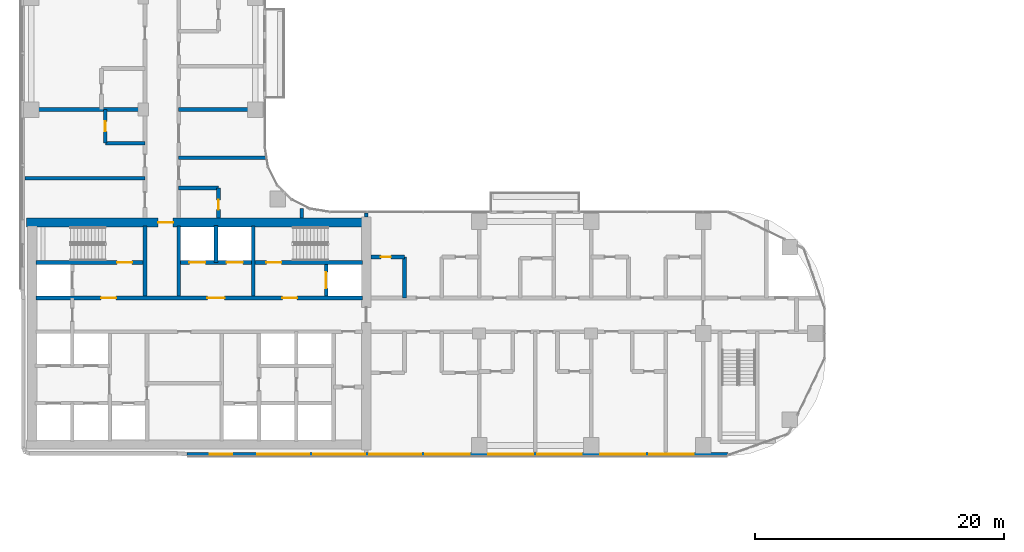
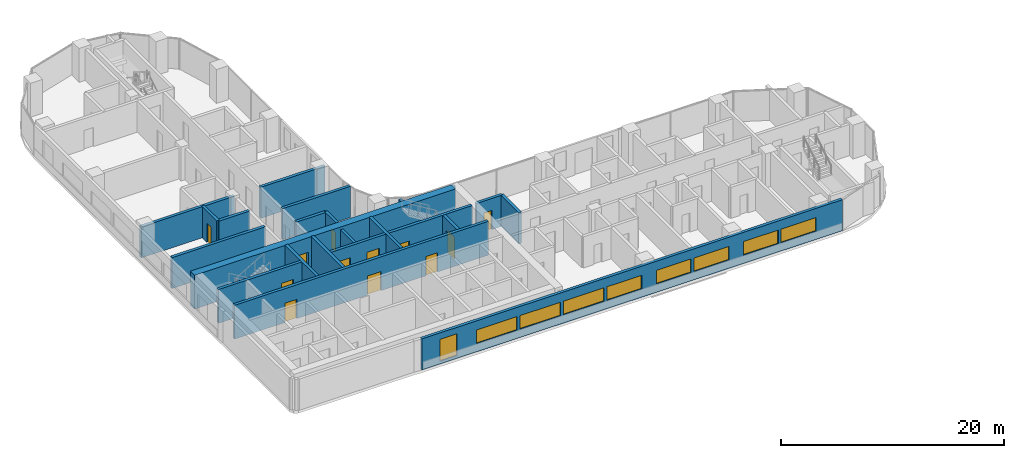
# One storey, part 19 of 35: 22 walls, 12 doors, 9 windows, 21 openings.
"""IFC4 building model written with IfcOpenShell, lengths in metres."""

import ifcopenshell
import ifcopenshell.guid

model = None  # the IFC model being written
_history = None  # IfcOwnerHistory: only IFC2X3 demands one
_inside = {}  # id of a spatial element -> (the spatial element, [elements in it])
_under = {}  # id of a project, library or spatial element -> (it, [spatial elements below it])
_declared = {}  # id of a project -> (the project, [libraries it declares])
_typed = {}  # id of a type object -> (the type object, [elements of that type])
_made_of = {}  # id of a material, layer set ... -> (it, [elements and type objects made of it])


def new_model(schema):
    """Start an empty IFC model of exactly this schema.

    Asked for "IFC4X3", IfcOpenShell would pick the latest addendum, in which some entities
    have other attributes; the version numbers below select the first issue.
    IFC2X3 requires an IfcOwnerHistory on every rooted entity: one is made here for all.
    """
    global model, _history
    if schema == "IFC4X3":
        model = ifcopenshell.file(schema_version=(4, 3, 0, 0))
    else:
        model = ifcopenshell.file(schema=schema)
    _inside.clear()
    _under.clear()
    _declared.clear()
    _typed.clear()
    _made_of.clear()
    _history = None
    if model.schema == "IFC2X3":
        org = make("IfcOrganization", Name="unknown")
        user = make(
            "IfcPersonAndOrganization",
            ThePerson=make("IfcPerson", FamilyName="unknown"),
            TheOrganization=org,
        )
        app = make(
            "IfcApplication",
            ApplicationDeveloper=org,
            Version="unknown",
            ApplicationFullName="unknown",
            ApplicationIdentifier="unknown",
        )
        _history = make(
            "IfcOwnerHistory",
            OwningUser=user,
            OwningApplication=app,
            ChangeAction="ADDED",
            CreationDate=0,
        )
    return model


def make(cls, **values):
    """One entity of the class cls with the attributes given. An attribute that is None is left unset."""
    return model.create_entity(
        cls, **{name: value for name, value in values.items() if value is not None}
    )


def rooted(cls, **values):
    """An entity with a GlobalId (a new one), such as an element, a storey or a relation."""
    return make(cls, GlobalId=ifcopenshell.guid.new(), OwnerHistory=_history, **values)


def si_unit(unit_type, name, prefix=None):
    """IfcSIUnit, for example si_unit("LENGTHUNIT", "METRE", prefix="MILLI")."""
    return make("IfcSIUnit", UnitType=unit_type, Prefix=prefix, Name=name)


def assignment(units):
    """IfcUnitAssignment: the units of a project."""
    return None if units is None else make("IfcUnitAssignment", Units=units)


def point(xyz):
    """IfcCartesianPoint."""
    return None if xyz is None else make("IfcCartesianPoint", Coordinates=xyz)


def direction(xyz):
    """IfcDirection."""
    return None if xyz is None else make("IfcDirection", DirectionRatios=xyz)


def frame(location, z_axis=None, x_axis=None):
    """IfcAxis2Placement3D, a coordinate frame: its origin and axes. An axis left out is left unset."""
    return make(
        "IfcAxis2Placement3D",
        Location=point(location),
        Axis=direction(z_axis),
        RefDirection=direction(x_axis),
    )


def frame_2d(location, x_axis=None):
    """IfcAxis2Placement2D, a coordinate frame in the plane: its origin and x axis."""
    return make(
        "IfcAxis2Placement2D", Location=point(location), RefDirection=direction(x_axis)
    )


def origin():
    """The frame at (0, 0, 0) with its axes left unset."""
    return frame((0.0, 0.0, 0.0))


def place(relative_to, where):
    """IfcLocalPlacement: puts the frame where relative to a parent placement (None: the world)."""
    return make(
        "IfcLocalPlacement", PlacementRelTo=relative_to, RelativePlacement=where
    )


def context(
    kind, dimensions, precision=None, world=None, true_north=None, identifier=None
):
    """IfcGeometricRepresentationContext, for example the 3D "Model" context."""
    return make(
        "IfcGeometricRepresentationContext",
        ContextIdentifier=identifier,
        ContextType=kind,
        CoordinateSpaceDimension=dimensions,
        Precision=precision,
        WorldCoordinateSystem=world,
        TrueNorth=true_north,
    )


def subcontext(parent, identifier, kind, view, scale=None):
    """IfcGeometricRepresentationSubContext, for example "Body" below "Model"."""
    return make(
        "IfcGeometricRepresentationSubContext",
        ContextIdentifier=identifier,
        ContextType=kind,
        ParentContext=parent,
        TargetScale=scale,
        TargetView=view,
    )


def project(units=None, contexts=None):
    """IfcProject with its units and contexts."""
    return rooted(
        "IfcProject",
        Name="project",
        RepresentationContexts=contexts,
        UnitsInContext=assignment(units),
    )


def spatial(cls, under=None, at=None, **own):
    """A site, building, storey or space (cls), placed at a placement, below another one or the project."""
    s = rooted(cls, ObjectPlacement=at, **own)
    if under is not None:
        _under.setdefault(under.id(), (under, []))[1].append(s)
    return s


def profile(cls, at=None, kind="AREA", **sizes):
    """A parametric profile (cls). Its sizes go by their IFC names, for example OverallWidth=200.0."""
    return make(cls, ProfileType=kind, Position=at, **sizes)


def rectangle(**sizes):
    """IfcRectangleProfileDef."""
    return profile("IfcRectangleProfileDef", **sizes)


def extrude(swept, where, along, depth):
    """IfcExtrudedAreaSolid: the profile swept, set in the frame where, extruded along a direction by depth."""
    return make(
        "IfcExtrudedAreaSolid",
        SweptArea=swept,
        Position=where,
        ExtrudedDirection=direction(along),
        Depth=depth,
    )


def shape(context_of_items, identifier, shape_type, items):
    """IfcShapeRepresentation: the items that make up one representation, for example the "Body"."""
    return make(
        "IfcShapeRepresentation",
        ContextOfItems=context_of_items,
        RepresentationIdentifier=identifier,
        RepresentationType=shape_type,
        Items=items,
    )


def material(Name=None, Category=None):
    """IfcMaterial."""
    return make("IfcMaterial", Name=Name, Category=Category)


def layer(
    of_material, thickness, ventilated=None, Name=None, Category=None, Priority=None
):
    """IfcMaterialLayer: one layer of a wall or slab, of a material (None: an air gap)."""
    return make(
        "IfcMaterialLayer",
        Material=of_material,
        LayerThickness=thickness,
        IsVentilated=ventilated,
        Name=Name,
        Category=Category,
        Priority=Priority,
    )


def layer_set(layers, Name=None):
    """IfcMaterialLayerSet."""
    return make("IfcMaterialLayerSet", MaterialLayers=layers, LayerSetName=Name)


def made_of(thing, what):
    """Note that an element or type object is made of a material, layer set ...; save() writes the relation."""
    if what is not None:
        _made_of.setdefault(what.id(), (what, []))[1].append(thing)
    return thing


def type_object(cls, material=None, **own):
    """A type object (cls), such as IfcWallType, which elements share."""
    return made_of(rooted(cls, **own), material)


def element(
    cls,
    number,
    at=None,
    inside=None,
    cuts=None,
    type_object=None,
    material=None,
    context=None,
    identifier="Body",
    shape_type=None,
    held_by="IfcProductDefinitionShape",
    body=None,
    shapes=None,
    **own,
):
    """One element of the class cls, such as IfcWall. Its Tag is "e" and its number.

    at: its placement. inside: the storey or other place that contains it. cuts: it is an
    opening in that element (IfcRelVoidsElement). A single representation is given by context,
    identifier, shape_type and body (its items); several are given by shapes. held_by: the class
    of the entity that holds the representations. save() writes the other relations.
    """
    e = rooted(cls, Tag="e%d" % number, ObjectPlacement=at, **own)
    if body is not None:
        shapes = [shape(context, identifier, shape_type, body)]
    if shapes is not None:
        e.Representation = make(held_by, Representations=shapes)
    if inside is not None:
        _inside.setdefault(inside.id(), (inside, []))[1].append(e)
    if cuts is not None:
        rooted(
            "IfcRelVoidsElement", RelatingBuildingElement=cuts, RelatedOpeningElement=e
        )
    if type_object is not None:
        _typed.setdefault(type_object.id(), (type_object, []))[1].append(e)
    return made_of(e, material)


def fill(opening, filler):
    """IfcRelFillsElement: the door or window that sits in an opening."""
    return rooted(
        "IfcRelFillsElement",
        RelatingOpeningElement=opening,
        RelatedBuildingElement=filler,
    )


def aggregate(whole, parts):
    """IfcRelAggregates: a whole, such as a stair, and the parts it consists of."""
    return rooted("IfcRelAggregates", RelatingObject=whole, RelatedObjects=parts)


def save(model, path):
    """Write the relations noted so far, then the file.

    IfcRelAggregates (storeys below a building ...), IfcRelContainedInSpatialStructure (elements
    in a storey), IfcRelDefinesByType, IfcRelAssociatesMaterial and IfcRelDeclares: one each for
    every whole, place, type object, material and project.
    """
    for whole, parts in _under.values():
        aggregate(whole, parts)
    for where, things in _inside.values():
        rooted(
            "IfcRelContainedInSpatialStructure",
            RelatedElements=things,
            RelatingStructure=where,
        )
    for kind, things in _typed.values():
        rooted("IfcRelDefinesByType", RelatedObjects=things, RelatingType=kind)
    for what, things in _made_of.values():
        rooted("IfcRelAssociatesMaterial", RelatedObjects=things, RelatingMaterial=what)
    for by, libraries in _declared.values():
        rooted("IfcRelDeclares", RelatingContext=by, RelatedDefinitions=libraries)
    model.write(path)


model = new_model("IFC4")

# Units and contexts
model_context = context("Model", 3, precision=1e-05, world=origin(), true_north=direction((0.0, 1.0)))
body_context = subcontext(model_context, "Body", "Model", "MODEL_VIEW")
ifc_project = project(units=[si_unit("LENGTHUNIT", "METRE"), si_unit("AREAUNIT", "SQUARE_METRE"), si_unit("VOLUMEUNIT", "CUBIC_METRE"), si_unit("PLANEANGLEUNIT", "RADIAN"), si_unit("MASSUNIT", "GRAM", prefix="KILO")], contexts=[model_context])

# Site, building, storey
site_placement = place(None, origin())
site = spatial("IfcSite", under=ifc_project, at=site_placement, CompositionType="ELEMENT")
building_placement = place(site_placement, origin())
building = spatial("IfcBuilding", under=site, at=building_placement, Name="Ogive Portal Towers", CompositionType="ELEMENT")
storey_placement = place(building_placement, frame((0.0, 0.0, 90.800048828125)))
storey = spatial("IfcBuildingStorey", under=building, at=storey_placement, Name="L21", CompositionType="ELEMENT", Elevation=90.800048828125)

# Wall, openings, doors
ifc_material_1 = material(Name="Concrete C60/75", Category="concrete")
ifc_layer_1 = layer(ifc_material_1, 0.300048828125)
ifc_layer_set_1 = layer_set([ifc_layer_1], Name="CORE WALL 300 C60")
wall_type_1 = type_object("IfcWallType", Name="CORE WALL 300 C60", PredefinedType="SHEAR", material=ifc_layer_set_1)
wall_1_placement = place(storey_placement, frame((31.875, 33.35009765625, 0.0), z_axis=(0.0, 0.0, 1.0), x_axis=(1.0, 0.0, 0.0)))
wall_1 = element("IfcWall", 1, at=wall_1_placement, inside=storey, type_object=wall_type_1, Name="Core wall Y2 L21", PredefinedType="SHEAR", context=body_context, shape_type="SweptSolid", body=[
    extrude(rectangle(XDim=26.25, YDim=0.300048828125, at=frame_2d((13.125, 0.0))), origin(), (0.0, 0.0, 1.0), 3.699951171875),
])
opening_1_placement = place(wall_1_placement, frame((13.77490234375, 0.0, 0.0)))
opening_1 = element("IfcOpeningElement", 2, at=opening_1_placement, cuts=wall_1, Name="Opening D07-002", PredefinedType="OPENING", context=body_context, shape_type="SweptSolid", body=[
    extrude(rectangle(XDim=1.39990234375, YDim=2.10009765625, at=frame_2d((0.699951171875, 1.050048828125))), frame((0.0, 0.16015625, 0.0), z_axis=(0.0, -1.0, 0.0), x_axis=(1.0, 0.0, 0.0)), (0.0, 0.0, 1.0), 0.320068359375),
])
opening_2_placement = place(wall_1_placement, frame((5.25, 0.0, 0.0)))
opening_2 = element("IfcOpeningElement", 3, at=opening_2_placement, cuts=wall_1, Name="Opening D07-003", PredefinedType="OPENING", context=body_context, shape_type="SweptSolid", body=[
    extrude(rectangle(XDim=1.199951171875, YDim=2.10009765625, at=frame_2d((0.60009765625, 1.050048828125))), frame((0.0, 0.16015625, 0.0), z_axis=(0.0, -1.0, 0.0), x_axis=(1.0, 0.0, 0.0)), (0.0, 0.0, 1.0), 0.320068359375),
])
opening_3_placement = place(wall_1_placement, frame((19.800048828125, 0.0, 0.0)))
opening_3 = element("IfcOpeningElement", 4, at=opening_3_placement, cuts=wall_1, Name="Opening D07-004", PredefinedType="OPENING", context=body_context, shape_type="SweptSolid", body=[
    extrude(rectangle(XDim=1.199951171875, YDim=2.10009765625, at=frame_2d((0.60009765625, 1.050048828125))), frame((0.0, 0.16015625, 0.0), z_axis=(0.0, -1.0, 0.0), x_axis=(1.0, 0.0, 0.0)), (0.0, 0.0, 1.0), 0.320068359375),
])
ifc_material_2 = material(Name="Steel fire door", Category="steel")
door_type_1 = type_object("IfcDoorType", Name="DT-SWING-1200x2100-FD90S", OperationType="SINGLE_SWING_LEFT", PredefinedType="DOOR", material=ifc_material_2)
door_1_placement = place(opening_2_placement, origin())
door_1 = element("IfcDoor", 5, at=door_1_placement, inside=storey, type_object=door_type_1, Name="Door D07-003", OperationType="SINGLE_SWING_LEFT", OverallHeight=2.10009765625, OverallWidth=1.199951171875, PredefinedType="DOOR", context=body_context, shape_type="SweptSolid", body=[
    extrude(rectangle(XDim=1.199951171875, YDim=2.10009765625, at=frame_2d((0.60009765625, 1.050048828125))), frame((0.0, 0.02490234375, 0.0), z_axis=(0.0, -1.0, 0.0), x_axis=(1.0, 0.0, 0.0)), (0.0, 0.0, 1.0), 0.050048828125),
])
fill(opening_2, door_1)
door_2_placement = place(opening_3_placement, origin())
door_2 = element("IfcDoor", 6, at=door_2_placement, inside=storey, type_object=door_type_1, Name="Door D07-004", OperationType="SINGLE_SWING_RIGHT", OverallHeight=2.10009765625, OverallWidth=1.199951171875, PredefinedType="DOOR", context=body_context, shape_type="SweptSolid", body=[
    extrude(rectangle(XDim=1.199951171875, YDim=2.10009765625, at=frame_2d((0.60009765625, 1.050048828125))), frame((0.0, 0.02490234375, 0.0), z_axis=(0.0, -1.0, 0.0), x_axis=(1.0, 0.0, 0.0)), (0.0, 0.0, 1.0), 0.050048828125),
])
fill(opening_3, door_2)
door_type_2 = type_object("IfcDoorType", Name="DT-SWING-1400x2100-FD90S", OperationType="SINGLE_SWING_LEFT", PredefinedType="DOOR", material=ifc_material_2)
door_3_placement = place(opening_1_placement, origin())
door_3 = element("IfcDoor", 7, at=door_3_placement, inside=storey, type_object=door_type_2, Name="Door D07-002", OperationType="SINGLE_SWING_RIGHT", OverallHeight=2.10009765625, OverallWidth=1.39990234375, PredefinedType="DOOR", context=body_context, shape_type="SweptSolid", body=[
    extrude(rectangle(XDim=1.39990234375, YDim=2.10009765625, at=frame_2d((0.699951171875, 1.050048828125))), frame((0.0, 0.02490234375, 0.0), z_axis=(0.0, -1.0, 0.0), x_axis=(1.0, 0.0, 0.0)), (0.0, 0.0, 1.0), 0.050048828125),
])
fill(opening_1, door_3)

# Wall, opening, door
wall_2_placement = place(storey_placement, frame((31.875, 36.199951171875, 0.0), z_axis=(0.0, 0.0, 1.0), x_axis=(1.0, 0.0, 0.0)))
wall_2 = element("IfcWall", 8, at=wall_2_placement, inside=storey, type_object=wall_type_1, Name="Core wall Y3a L21", PredefinedType="SHEAR", context=body_context, shape_type="SweptSolid", body=[
    extrude(rectangle(XDim=8.625, YDim=0.300048828125, at=frame_2d((4.3125, 0.0))), origin(), (0.0, 0.0, 1.0), 3.699951171875),
])
opening_4_placement = place(wall_2_placement, frame((6.52490234375, 0.0, 0.0)))
opening_4 = element("IfcOpeningElement", 9, at=opening_4_placement, cuts=wall_2, Name="Opening D07-005", PredefinedType="OPENING", context=body_context, shape_type="SweptSolid", body=[
    extrude(rectangle(XDim=1.199951171875, YDim=2.10009765625, at=frame_2d((0.60009765625, 1.050048828125))), frame((0.0, 0.16015625, 0.0), z_axis=(0.0, -1.0, 0.0), x_axis=(1.0, 0.0, 0.0)), (0.0, 0.0, 1.0), 0.320068359375),
])
door_4_placement = place(opening_4_placement, origin())
door_4 = element("IfcDoor", 10, at=door_4_placement, inside=storey, type_object=door_type_1, Name="Door D07-005", OperationType="SINGLE_SWING_RIGHT", OverallHeight=2.10009765625, OverallWidth=1.199951171875, PredefinedType="DOOR", context=body_context, shape_type="SweptSolid", body=[
    extrude(rectangle(XDim=1.199951171875, YDim=2.10009765625, at=frame_2d((0.60009765625, 1.050048828125))), frame((0.0, 0.02490234375, 0.0), z_axis=(0.0, -1.0, 0.0), x_axis=(1.0, 0.0, 0.0)), (0.0, 0.0, 1.0), 0.050048828125),
])
fill(opening_4, door_4)

# Wall, openings, doors
wall_3_placement = place(storey_placement, frame((43.5, 36.199951171875, 0.0), z_axis=(0.0, 0.0, 1.0), x_axis=(1.0, 0.0, 0.0)))
wall_3 = element("IfcWall", 11, at=wall_3_placement, inside=storey, type_object=wall_type_1, Name="Core wall Y3b L21", PredefinedType="SHEAR", context=body_context, shape_type="SweptSolid", body=[
    extrude(rectangle(XDim=14.625, YDim=0.300048828125, at=frame_2d((7.3125, 0.0))), origin(), (0.0, 0.0, 1.0), 3.699951171875),
])
opening_5_placement = place(wall_3_placement, frame((6.89990234375, 0.0, 0.0)))
opening_5 = element("IfcOpeningElement", 12, at=opening_5_placement, cuts=wall_3, Name="Opening D07-006", PredefinedType="OPENING", context=body_context, shape_type="SweptSolid", body=[
    extrude(rectangle(XDim=1.199951171875, YDim=2.10009765625, at=frame_2d((0.60009765625, 1.050048828125))), frame((0.0, 0.16015625, 0.0), z_axis=(0.0, -1.0, 0.0), x_axis=(1.0, 0.0, 0.0)), (0.0, 0.0, 1.0), 0.320068359375),
])
opening_6_placement = place(wall_3_placement, frame((0.699951171875, 0.0, 0.0)))
opening_6 = element("IfcOpeningElement", 13, at=opening_6_placement, cuts=wall_3, Name="Opening D07-017", PredefinedType="OPENING", context=body_context, shape_type="SweptSolid", body=[
    extrude(rectangle(XDim=1.300048828125, YDim=2.39990234375, at=frame_2d((0.64990234375, 1.199951171875))), frame((0.0, 0.16015625, 0.0), z_axis=(0.0, -1.0, 0.0), x_axis=(1.0, 0.0, 0.0)), (0.0, 0.0, 1.0), 0.320068359375),
])
opening_7_placement = place(wall_3_placement, frame((3.699951171875, 0.0, 0.0)))
opening_7 = element("IfcOpeningElement", 14, at=opening_7_placement, cuts=wall_3, Name="Opening D07-018", PredefinedType="OPENING", context=body_context, shape_type="SweptSolid", body=[
    extrude(rectangle(XDim=1.300048828125, YDim=2.39990234375, at=frame_2d((0.64990234375, 1.199951171875))), frame((0.0, 0.16015625, 0.0), z_axis=(0.0, -1.0, 0.0), x_axis=(1.0, 0.0, 0.0)), (0.0, 0.0, 1.0), 0.320068359375),
])
ifc_material_3 = material(Name="Stainless steel", Category="steel")
door_type_3 = type_object("IfcDoorType", Name="DT-LD-1300x2400", OperationType="SLIDING_TO_LEFT", PredefinedType="DOOR", material=ifc_material_3)
door_5_placement = place(opening_6_placement, origin())
door_5 = element("IfcDoor", 15, at=door_5_placement, inside=storey, type_object=door_type_3, Name="Door D07-017", OperationType="SLIDING_TO_LEFT", OverallHeight=2.39990234375, OverallWidth=1.300048828125, PredefinedType="DOOR", context=body_context, shape_type="SweptSolid", body=[
    extrude(rectangle(XDim=1.300048828125, YDim=2.39990234375, at=frame_2d((0.64990234375, 1.199951171875))), frame((0.0, 0.02490234375, 0.0), z_axis=(0.0, -1.0, 0.0), x_axis=(1.0, 0.0, 0.0)), (0.0, 0.0, 1.0), 0.050048828125),
])
fill(opening_6, door_5)
door_6_placement = place(opening_7_placement, origin())
door_6 = element("IfcDoor", 16, at=door_6_placement, inside=storey, type_object=door_type_3, Name="Door D07-018", OperationType="SLIDING_TO_LEFT", OverallHeight=2.39990234375, OverallWidth=1.300048828125, PredefinedType="DOOR", context=body_context, shape_type="SweptSolid", body=[
    extrude(rectangle(XDim=1.300048828125, YDim=2.39990234375, at=frame_2d((0.64990234375, 1.199951171875))), frame((0.0, 0.02490234375, 0.0), z_axis=(0.0, -1.0, 0.0), x_axis=(1.0, 0.0, 0.0)), (0.0, 0.0, 1.0), 0.050048828125),
])
fill(opening_7, door_6)
door_7_placement = place(opening_5_placement, origin())
door_7 = element("IfcDoor", 17, at=door_7_placement, inside=storey, type_object=door_type_1, Name="Door D07-006", OperationType="SINGLE_SWING_LEFT", OverallHeight=2.10009765625, OverallWidth=1.199951171875, PredefinedType="DOOR", context=body_context, shape_type="SweptSolid", body=[
    extrude(rectangle(XDim=1.199951171875, YDim=2.10009765625, at=frame_2d((0.60009765625, 1.050048828125))), frame((0.0, 0.02490234375, 0.0), z_axis=(0.0, -1.0, 0.0), x_axis=(1.0, 0.0, 0.0)), (0.0, 0.0, 1.0), 0.050048828125),
])
fill(opening_5, door_7)

# Walls
for number, where, z_axis, x_axis, name in (
    (18, (40.64990234375, 33.5, 0.0), (0.0, 0.0, 1.0), (0.0, 1.0, 0.0), "Core wall X6 L21"),
    (19, (43.35009765625, 33.5, 0.0), (0.0, 0.0, 1.0), (0.0, 1.0, 0.0), "Core wall X7 L21"),
    (20, (49.35009765625, 33.5, 0.0), (0.0, 0.0, 1.0), (0.0, 1.0, 0.0), "Core wall X9 L21"),
):
    element("IfcWall", number, at=place(storey_placement, frame(where, z_axis=z_axis, x_axis=x_axis)), inside=storey, type_object=wall_type_1, Name=name, PredefinedType="SHEAR", context=body_context, shape_type="SweptSolid", body=[
        extrude(rectangle(XDim=5.625, YDim=0.300048828125, at=frame_2d((2.8125, 0.0))), origin(), (0.0, 0.0, 1.0), 3.699951171875),
    ])

# Wall, opening, door
wall_4_placement = place(storey_placement, frame((55.199951171875, 33.5, 0.0), z_axis=(0.0, 0.0, 1.0), x_axis=(0.0, 1.0, 0.0)))
wall_4 = element("IfcWall", 21, at=wall_4_placement, inside=storey, type_object=wall_type_1, Name="Core wall X10 L21", PredefinedType="SHEAR", context=body_context, shape_type="SweptSolid", body=[
    extrude(rectangle(XDim=2.550048828125, YDim=0.300048828125, at=frame_2d((1.27490234375, 0.0))), origin(), (0.0, 0.0, 1.0), 3.699951171875),
])
opening_8_placement = place(wall_4_placement, frame((0.625, 0.0, 0.0)))
opening_8 = element("IfcOpeningElement", 22, at=opening_8_placement, cuts=wall_4, Name="Opening D07-020", PredefinedType="OPENING", context=body_context, shape_type="SweptSolid", body=[
    extrude(rectangle(XDim=1.300048828125, YDim=2.39990234375, at=frame_2d((0.64990234375, 1.199951171875))), frame((0.0, 0.16015625, 0.0), z_axis=(0.0, -1.0, 0.0), x_axis=(1.0, 0.0, 0.0)), (0.0, 0.0, 1.0), 0.320068359375),
])
door_8_placement = place(opening_8_placement, origin())
door_8 = element("IfcDoor", 23, at=door_8_placement, inside=storey, type_object=door_type_3, Name="Door D07-020", OperationType="SLIDING_TO_LEFT", OverallHeight=2.39990234375, OverallWidth=1.300048828125, PredefinedType="DOOR", context=body_context, shape_type="SweptSolid", body=[
    extrude(rectangle(XDim=1.300048828125, YDim=2.39990234375, at=frame_2d((0.64990234375, 1.199951171875))), frame((0.0, 0.02490234375, 0.0), z_axis=(0.0, -1.0, 0.0), x_axis=(1.0, 0.0, 0.0)), (0.0, 0.0, 1.0), 0.050048828125),
])
fill(opening_8, door_8)

ifc_layer_2 = layer(ifc_material_1, 0.75)
ifc_layer_set_2 = layer_set([ifc_layer_2], Name="CORE WALL 750 C60")
wall_type_2 = type_object("IfcWallType", Name="CORE WALL 750 C60", PredefinedType="SHEAR", material=ifc_layer_set_2)
wall_5_placement = place(storey_placement, frame((31.125, 39.425048828125, 0.0), z_axis=(0.0, 0.0, 1.0), x_axis=(1.0, 0.0, 0.0)))
wall_5 = element("IfcWall", 24, at=wall_5_placement, inside=storey, type_object=wall_type_2, Name="Core wall N L21", PredefinedType="SHEAR", context=body_context, shape_type="SweptSolid", body=[
    extrude(rectangle(XDim=27.0, YDim=0.75, at=frame_2d((13.5, 0.0))), origin(), (0.0, 0.0, 1.0), 3.699951171875),
])
opening_9_placement = place(wall_5_placement, frame((10.574951171875, 0.0, 0.0)))
opening_9 = element("IfcOpeningElement", 25, at=opening_9_placement, cuts=wall_5, Name="Opening D07-012", PredefinedType="OPENING", context=body_context, shape_type="SweptSolid", body=[
    extrude(rectangle(XDim=1.199951171875, YDim=2.10009765625, at=frame_2d((0.60009765625, 1.050048828125))), frame((0.0, 0.385009765625, 0.0), z_axis=(0.0, -1.0, 0.0), x_axis=(1.0, 0.0, 0.0)), (0.0, 0.0, 1.0), 0.77001953125),
])
door_9_placement = place(opening_9_placement, origin())
door_9 = element("IfcDoor", 26, at=door_9_placement, inside=storey, type_object=door_type_1, Name="Door D07-012", OperationType="SINGLE_SWING_RIGHT", OverallHeight=2.10009765625, OverallWidth=1.199951171875, PredefinedType="DOOR", context=body_context, shape_type="SweptSolid", body=[
    extrude(rectangle(XDim=1.199951171875, YDim=2.10009765625, at=frame_2d((0.60009765625, 1.050048828125))), frame((0.0, 0.02490234375, 0.0), z_axis=(0.0, -1.0, 0.0), x_axis=(1.0, 0.0, 0.0)), (0.0, 0.0, 1.0), 0.050048828125),
])
fill(opening_9, door_9)

# Wall, openings, windows
ifc_material_4 = material(Name="Limestone cladding on lightweight block wall", Category="masonry")
ifc_layer_3 = layer(ifc_material_4, 0.300048828125)
ifc_layer_set_3 = layer_set([ifc_layer_3], Name="EXTERNAL WALL 300 STONE")
wall_type_3 = type_object("IfcWallType", Name="EXTERNAL WALL 300 STONE", PredefinedType="SOLIDWALL", material=ifc_layer_set_3)
wall_6_placement = place(storey_placement, frame((44.0107421875, 20.794921875, 0.0), z_axis=(0.0, 0.0, 1.0), x_axis=(1.0, 0.0, 0.0)))
wall_6 = element("IfcWall", 27, at=wall_6_placement, inside=storey, type_object=wall_type_3, Name="A:L21:f05:r0:wall", PredefinedType="SOLIDWALL", context=body_context, shape_type="SweptSolid", body=[
    extrude(rectangle(XDim=43.4755859375, YDim=0.300048828125, at=frame_2d((21.73779296875, 0.0))), origin(), (0.0, 0.0, 1.0), 3.39990234375),
])
opening_10_placement = place(wall_6_placement, frame((1.8447265625, 0.0, 0.300048828125)))
opening_10 = element("IfcOpeningElement", 28, at=opening_10_placement, cuts=wall_6, Name="Opening WN10", PredefinedType="OPENING", context=body_context, shape_type="SweptSolid", body=[
    extrude(rectangle(XDim=1.800048828125, YDim=2.39990234375, at=frame_2d((0.89990234375, 1.199951171875))), frame((0.0, 0.16015625, 0.0), z_axis=(0.0, -1.0, 0.0), x_axis=(1.0, 0.0, 0.0)), (0.0, 0.0, 1.0), 0.320068359375),
])
opening_11_placement = place(wall_6_placement, frame((5.639404296875, 0.0, 0.89990234375)))
opening_11 = element("IfcOpeningElement", 29, at=opening_11_placement, cuts=wall_6, Name="Opening WN11", PredefinedType="OPENING", context=body_context, shape_type="SweptSolid", body=[
    extrude(rectangle(XDim=4.199951171875, YDim=1.5, at=frame_2d((2.10009765625, 0.75))), frame((0.0, 0.16015625, 0.0), z_axis=(0.0, -1.0, 0.0), x_axis=(1.0, 0.0, 0.0)), (0.0, 0.0, 1.0), 0.320068359375),
])
opening_12_placement = place(wall_6_placement, frame((10.139404296875, 0.0, 0.89990234375)))
opening_12 = element("IfcOpeningElement", 30, at=opening_12_placement, cuts=wall_6, Name="Opening WN11", PredefinedType="OPENING", context=body_context, shape_type="SweptSolid", body=[
    extrude(rectangle(XDim=4.199951171875, YDim=1.5, at=frame_2d((2.10009765625, 0.75))), frame((0.0, 0.16015625, 0.0), z_axis=(0.0, -1.0, 0.0), x_axis=(1.0, 0.0, 0.0)), (0.0, 0.0, 1.0), 0.320068359375),
])
opening_13_placement = place(wall_6_placement, frame((14.639404296875, 0.0, 0.89990234375)))
opening_13 = element("IfcOpeningElement", 31, at=opening_13_placement, cuts=wall_6, Name="Opening WN11", PredefinedType="OPENING", context=body_context, shape_type="SweptSolid", body=[
    extrude(rectangle(XDim=4.199951171875, YDim=1.5, at=frame_2d((2.10009765625, 0.75))), frame((0.0, 0.16015625, 0.0), z_axis=(0.0, -1.0, 0.0), x_axis=(1.0, 0.0, 0.0)), (0.0, 0.0, 1.0), 0.320068359375),
])
opening_14_placement = place(wall_6_placement, frame((19.139404296875, 0.0, 0.89990234375)))
opening_14 = element("IfcOpeningElement", 32, at=opening_14_placement, cuts=wall_6, Name="Opening WN12", PredefinedType="OPENING", context=body_context, shape_type="SweptSolid", body=[
    extrude(rectangle(XDim=3.60009765625, YDim=1.5, at=frame_2d((1.800048828125, 0.75))), frame((0.0, 0.16015625, 0.0), z_axis=(0.0, -1.0, 0.0), x_axis=(1.0, 0.0, 0.0)), (0.0, 0.0, 1.0), 0.320068359375),
])
opening_15_placement = place(wall_6_placement, frame((24.2392578125, 0.0, 0.89990234375)))
opening_15 = element("IfcOpeningElement", 33, at=opening_15_placement, cuts=wall_6, Name="Opening WN12", PredefinedType="OPENING", context=body_context, shape_type="SweptSolid", body=[
    extrude(rectangle(XDim=3.60009765625, YDim=1.5, at=frame_2d((1.800048828125, 0.75))), frame((0.0, 0.16015625, 0.0), z_axis=(0.0, -1.0, 0.0), x_axis=(1.0, 0.0, 0.0)), (0.0, 0.0, 1.0), 0.320068359375),
])
opening_16_placement = place(wall_6_placement, frame((28.139404296875, 0.0, 0.89990234375)))
opening_16 = element("IfcOpeningElement", 34, at=opening_16_placement, cuts=wall_6, Name="Opening WN12", PredefinedType="OPENING", context=body_context, shape_type="SweptSolid", body=[
    extrude(rectangle(XDim=3.60009765625, YDim=1.5, at=frame_2d((1.800048828125, 0.75))), frame((0.0, 0.16015625, 0.0), z_axis=(0.0, -1.0, 0.0), x_axis=(1.0, 0.0, 0.0)), (0.0, 0.0, 1.0), 0.320068359375),
])
opening_17_placement = place(wall_6_placement, frame((33.2392578125, 0.0, 0.89990234375)))
opening_17 = element("IfcOpeningElement", 35, at=opening_17_placement, cuts=wall_6, Name="Opening WN12", PredefinedType="OPENING", context=body_context, shape_type="SweptSolid", body=[
    extrude(rectangle(XDim=3.60009765625, YDim=1.5, at=frame_2d((1.800048828125, 0.75))), frame((0.0, 0.16015625, 0.0), z_axis=(0.0, -1.0, 0.0), x_axis=(1.0, 0.0, 0.0)), (0.0, 0.0, 1.0), 0.320068359375),
])
opening_18_placement = place(wall_6_placement, frame((37.139404296875, 0.0, 0.89990234375)))
opening_18 = element("IfcOpeningElement", 36, at=opening_18_placement, cuts=wall_6, Name="Opening WN12", PredefinedType="OPENING", context=body_context, shape_type="SweptSolid", body=[
    extrude(rectangle(XDim=3.60009765625, YDim=1.5, at=frame_2d((1.800048828125, 0.75))), frame((0.0, 0.16015625, 0.0), z_axis=(0.0, -1.0, 0.0), x_axis=(1.0, 0.0, 0.0)), (0.0, 0.0, 1.0), 0.320068359375),
])
ifc_material_5 = material(Name="Glass, clear low-iron insulated glazing", Category="glass")
window_type_1 = type_object("IfcWindowType", Name="WINDOW RIBBON 3600x1500", PartitioningType="TRIPLE_PANEL_VERTICAL", PredefinedType="WINDOW", material=ifc_material_5)
window_1_placement = place(opening_14_placement, origin())
window_1 = element("IfcWindow", 37, at=window_1_placement, inside=storey, type_object=window_type_1, Name="A:L21:f05:r0:w4", OverallHeight=1.5, OverallWidth=3.60009765625, PartitioningType="SINGLE_PANEL", PredefinedType="WINDOW", context=body_context, shape_type="SweptSolid", body=[
    extrude(rectangle(XDim=3.60009765625, YDim=1.5, at=frame_2d((1.800048828125, 0.75))), frame((0.0, 0.030029296875, 0.0), z_axis=(0.0, -1.0, 0.0), x_axis=(1.0, 0.0, 0.0)), (0.0, 0.0, 1.0), 0.06005859375),
])
fill(opening_14, window_1)
window_2_placement = place(opening_15_placement, origin())
window_2 = element("IfcWindow", 38, at=window_2_placement, inside=storey, type_object=window_type_1, Name="A:L21:f05:r0:w5", OverallHeight=1.5, OverallWidth=3.60009765625, PartitioningType="SINGLE_PANEL", PredefinedType="WINDOW", context=body_context, shape_type="SweptSolid", body=[
    extrude(rectangle(XDim=3.60009765625, YDim=1.5, at=frame_2d((1.800048828125, 0.75))), frame((0.0, 0.030029296875, 0.0), z_axis=(0.0, -1.0, 0.0), x_axis=(1.0, 0.0, 0.0)), (0.0, 0.0, 1.0), 0.06005859375),
])
fill(opening_15, window_2)
window_3_placement = place(opening_16_placement, origin())
window_3 = element("IfcWindow", 39, at=window_3_placement, inside=storey, type_object=window_type_1, Name="A:L21:f05:r0:w6", OverallHeight=1.5, OverallWidth=3.60009765625, PartitioningType="SINGLE_PANEL", PredefinedType="WINDOW", context=body_context, shape_type="SweptSolid", body=[
    extrude(rectangle(XDim=3.60009765625, YDim=1.5, at=frame_2d((1.800048828125, 0.75))), frame((0.0, 0.030029296875, 0.0), z_axis=(0.0, -1.0, 0.0), x_axis=(1.0, 0.0, 0.0)), (0.0, 0.0, 1.0), 0.06005859375),
])
fill(opening_16, window_3)
window_4_placement = place(opening_17_placement, origin())
window_4 = element("IfcWindow", 40, at=window_4_placement, inside=storey, type_object=window_type_1, Name="A:L21:f05:r0:w7", OverallHeight=1.5, OverallWidth=3.60009765625, PartitioningType="SINGLE_PANEL", PredefinedType="WINDOW", context=body_context, shape_type="SweptSolid", body=[
    extrude(rectangle(XDim=3.60009765625, YDim=1.5, at=frame_2d((1.800048828125, 0.75))), frame((0.0, 0.030029296875, 0.0), z_axis=(0.0, -1.0, 0.0), x_axis=(1.0, 0.0, 0.0)), (0.0, 0.0, 1.0), 0.06005859375),
])
fill(opening_17, window_4)
window_5_placement = place(opening_18_placement, origin())
window_5 = element("IfcWindow", 41, at=window_5_placement, inside=storey, type_object=window_type_1, Name="A:L21:f05:r0:w8", OverallHeight=1.5, OverallWidth=3.60009765625, PartitioningType="SINGLE_PANEL", PredefinedType="WINDOW", context=body_context, shape_type="SweptSolid", body=[
    extrude(rectangle(XDim=3.60009765625, YDim=1.5, at=frame_2d((1.800048828125, 0.75))), frame((0.0, 0.030029296875, 0.0), z_axis=(0.0, -1.0, 0.0), x_axis=(1.0, 0.0, 0.0)), (0.0, 0.0, 1.0), 0.06005859375),
])
fill(opening_18, window_5)
window_type_2 = type_object("IfcWindowType", Name="WINDOW RIBBON 4200x1500", PartitioningType="TRIPLE_PANEL_VERTICAL", PredefinedType="WINDOW", material=ifc_material_5)
window_6_placement = place(opening_11_placement, origin())
window_6 = element("IfcWindow", 42, at=window_6_placement, inside=storey, type_object=window_type_2, Name="A:L21:f05:r0:w1", OverallHeight=1.5, OverallWidth=4.199951171875, PartitioningType="SINGLE_PANEL", PredefinedType="WINDOW", context=body_context, shape_type="SweptSolid", body=[
    extrude(rectangle(XDim=4.199951171875, YDim=1.5, at=frame_2d((2.10009765625, 0.75))), frame((0.0, 0.030029296875, 0.0), z_axis=(0.0, -1.0, 0.0), x_axis=(1.0, 0.0, 0.0)), (0.0, 0.0, 1.0), 0.06005859375),
])
fill(opening_11, window_6)
window_7_placement = place(opening_12_placement, origin())
window_7 = element("IfcWindow", 43, at=window_7_placement, inside=storey, type_object=window_type_2, Name="A:L21:f05:r0:w2", OverallHeight=1.5, OverallWidth=4.199951171875, PartitioningType="SINGLE_PANEL", PredefinedType="WINDOW", context=body_context, shape_type="SweptSolid", body=[
    extrude(rectangle(XDim=4.199951171875, YDim=1.5, at=frame_2d((2.10009765625, 0.75))), frame((0.0, 0.030029296875, 0.0), z_axis=(0.0, -1.0, 0.0), x_axis=(1.0, 0.0, 0.0)), (0.0, 0.0, 1.0), 0.06005859375),
])
fill(opening_12, window_7)
window_8_placement = place(opening_13_placement, origin())
window_8 = element("IfcWindow", 44, at=window_8_placement, inside=storey, type_object=window_type_2, Name="A:L21:f05:r0:w3", OverallHeight=1.5, OverallWidth=4.199951171875, PartitioningType="SINGLE_PANEL", PredefinedType="WINDOW", context=body_context, shape_type="SweptSolid", body=[
    extrude(rectangle(XDim=4.199951171875, YDim=1.5, at=frame_2d((2.10009765625, 0.75))), frame((0.0, 0.030029296875, 0.0), z_axis=(0.0, -1.0, 0.0), x_axis=(1.0, 0.0, 0.0)), (0.0, 0.0, 1.0), 0.06005859375),
])
fill(opening_13, window_8)
window_type_3 = type_object("IfcWindowType", Name="WINDOW SUITE CORNER 1800x2400", PartitioningType="DOUBLE_PANEL_VERTICAL", PredefinedType="WINDOW", material=ifc_material_5)
window_9_placement = place(opening_10_placement, origin())
window_9 = element("IfcWindow", 45, at=window_9_placement, inside=storey, type_object=window_type_3, Name="A:L21:f05:r0:w0", OverallHeight=2.39990234375, OverallWidth=1.800048828125, PartitioningType="SINGLE_PANEL", PredefinedType="WINDOW", context=body_context, shape_type="SweptSolid", body=[
    extrude(rectangle(XDim=1.800048828125, YDim=2.39990234375, at=frame_2d((0.89990234375, 1.199951171875))), frame((0.0, 0.030029296875, 0.0), z_axis=(0.0, -1.0, 0.0), x_axis=(1.0, 0.0, 0.0)), (0.0, 0.0, 1.0), 0.06005859375),
])
fill(opening_10, window_9)

# Wall
ifc_material_6 = material(Name="Gypsum board partition on steel studs", Category="steel")
ifc_layer_4 = layer(ifc_material_6, 0.300048828125)
ifc_layer_set_4 = layer_set([ifc_layer_4], Name="WT-PART-300-EI 120")
wall_type_4 = type_object("IfcWallType", Name="WT-PART-300-EI 120", PredefinedType="PARTITIONING", material=ifc_layer_set_4)
wall_7_placement = place(storey_placement, frame((58.425048828125, 39.875, 0.0), z_axis=(0.0, 0.0, 1.0), x_axis=(0.0, 1.0, 0.0)))
element("IfcWall", 46, at=wall_7_placement, inside=storey, type_object=wall_type_4, Name="Wall L21:wc02", PredefinedType="PARTITIONING", context=body_context, shape_type="SweptSolid", body=[
    extrude(rectangle(XDim=0.31005859375, YDim=0.300048828125, at=frame_2d((0.155029296875, 0.0))), origin(), (0.0, 0.0, 1.0), 3.39990234375),
])

# Wall, opening, door
ifc_layer_5 = layer(ifc_material_6, 0.300048828125)
ifc_layer_set_5 = layer_set([ifc_layer_5], Name="WT-PART-300-EI 60")
wall_type_5 = type_object("IfcWallType", Name="WT-PART-300-EI 60", PredefinedType="PARTITIONING", material=ifc_layer_set_5)
wall_8_placement = place(storey_placement, frame((58.800048828125, 36.64990234375, 0.0), z_axis=(0.0, 0.0, 1.0), x_axis=(1.0, 0.0, 0.0)))
wall_8 = element("IfcWall", 47, at=wall_8_placement, inside=storey, type_object=wall_type_5, Name="Wall L21:w012", PredefinedType="PARTITIONING", context=body_context, shape_type="SweptSolid", body=[
    extrude(rectangle(XDim=2.699951171875, YDim=0.300048828125, at=frame_2d((1.35009765625, 0.0))), origin(), (0.0, 0.0, 1.0), 3.39990234375),
])
opening_19_placement = place(wall_8_placement, frame((0.800048828125, 0.0, 0.0)))
opening_19 = element("IfcOpeningElement", 48, at=opening_19_placement, cuts=wall_8, Name="Opening D07-026", PredefinedType="OPENING", context=body_context, shape_type="SweptSolid", body=[
    extrude(rectangle(XDim=0.800048828125, YDim=2.10009765625, at=frame_2d((0.39990234375, 1.050048828125))), frame((0.0, 0.16015625, 0.0), z_axis=(0.0, -1.0, 0.0), x_axis=(1.0, 0.0, 0.0)), (0.0, 0.0, 1.0), 0.320068359375),
])
door_type_4 = type_object("IfcDoorType", Name="DT-BATH-800x2100-FD60S", OperationType="SINGLE_SWING_LEFT", PredefinedType="DOOR", material=ifc_material_2)
door_10_placement = place(opening_19_placement, origin())
door_10 = element("IfcDoor", 49, at=door_10_placement, inside=storey, type_object=door_type_4, Name="Door D07-026", OperationType="SINGLE_SWING_LEFT", OverallHeight=2.10009765625, OverallWidth=0.800048828125, PredefinedType="DOOR", context=body_context, shape_type="SweptSolid", body=[
    extrude(rectangle(XDim=0.800048828125, YDim=2.10009765625, at=frame_2d((0.39990234375, 1.050048828125))), frame((0.0, 0.02490234375, 0.0), z_axis=(0.0, -1.0, 0.0), x_axis=(1.0, 0.0, 0.0)), (0.0, 0.0, 1.0), 0.050048828125),
])
fill(opening_19, door_10)

# Walls
wall_9_placement = place(storey_placement, frame((43.35009765625, 42.199951171875, 0.0), z_axis=(0.0, 0.0, 1.0), x_axis=(1.0, 0.0, 0.0)))
element("IfcWall", 50, at=wall_9_placement, inside=storey, type_object=wall_type_5, Name="Wall L21:w016", PredefinedType="PARTITIONING", context=body_context, shape_type="SweptSolid", body=[
    extrude(rectangle(XDim=3.199951171875, YDim=0.300048828125, at=frame_2d((1.60009765625, 0.0))), origin(), (0.0, 0.0, 1.0), 3.39990234375),
])
wall_10_placement = place(storey_placement, frame((30.9951171875, 42.969970703125, 0.0), z_axis=(0.0, 0.0, 1.0), x_axis=(1.0, 0.0, 0.0)))
element("IfcWall", 51, at=wall_10_placement, inside=storey, type_object=wall_type_5, Name="Wall L21:w017", PredefinedType="PARTITIONING", context=body_context, shape_type="SweptSolid", body=[
    extrude(rectangle(XDim=9.65478515625, YDim=0.300048828125, at=frame_2d((4.827392578125, 0.0))), origin(), (0.0, 0.0, 1.0), 3.39990234375),
])
wall_11_placement = place(storey_placement, frame((43.35009765625, 44.6298828125, 0.0), z_axis=(0.0, 0.0, 1.0), x_axis=(1.0, 0.0, 0.0)))
element("IfcWall", 52, at=wall_11_placement, inside=storey, type_object=wall_type_5, Name="Wall L21:w018", PredefinedType="PARTITIONING", context=body_context, shape_type="SweptSolid", body=[
    extrude(rectangle(XDim=7.031982421875, YDim=0.300048828125, at=frame_2d((3.51611328125, 0.0))), origin(), (0.0, 0.0, 1.0), 3.39990234375),
])
wall_12_placement = place(storey_placement, frame((37.449951171875, 45.800048828125, 0.0), z_axis=(0.0, 0.0, 1.0), x_axis=(1.0, 0.0, 0.0)))
element("IfcWall", 53, at=wall_12_placement, inside=storey, type_object=wall_type_5, Name="Wall L21:w019", PredefinedType="PARTITIONING", context=body_context, shape_type="SweptSolid", body=[
    extrude(rectangle(XDim=3.199951171875, YDim=0.300048828125, at=frame_2d((1.60009765625, 0.0))), origin(), (0.0, 0.0, 1.0), 3.39990234375),
])
wall_13_placement = place(storey_placement, frame((30.9951171875, 48.5, 0.0), z_axis=(0.0, 0.0, 1.0), x_axis=(1.0, 0.0, 0.0)))
element("IfcWall", 54, at=wall_13_placement, inside=storey, type_object=wall_type_5, Name="Wall L21:w020", PredefinedType="PARTITIONING", context=body_context, shape_type="SweptSolid", body=[
    extrude(rectangle(XDim=9.65478515625, YDim=0.300048828125, at=frame_2d((4.827392578125, 0.0))), origin(), (0.0, 0.0, 1.0), 3.39990234375),
])
wall_14_placement = place(storey_placement, frame((43.35009765625, 48.5, 0.0), z_axis=(0.0, 0.0, 1.0), x_axis=(1.0, 0.0, 0.0)))
element("IfcWall", 55, at=wall_14_placement, inside=storey, type_object=wall_type_5, Name="Wall L21:w021", PredefinedType="PARTITIONING", context=body_context, shape_type="SweptSolid", body=[
    extrude(rectangle(XDim=6.65478515625, YDim=0.300048828125, at=frame_2d((3.327392578125, 0.0))), origin(), (0.0, 0.0, 1.0), 3.39990234375),
])

# Wall, opening, door
wall_15_placement = place(storey_placement, frame((37.449951171875, 45.800048828125, 0.0), z_axis=(0.0, 0.0, 1.0), x_axis=(0.0, 1.0, 0.0)))
wall_15 = element("IfcWall", 56, at=wall_15_placement, inside=storey, type_object=wall_type_5, Name="Wall L21:w034", PredefinedType="PARTITIONING", context=body_context, shape_type="SweptSolid", body=[
    extrude(rectangle(XDim=2.699951171875, YDim=0.300048828125, at=frame_2d((1.35009765625, 0.0))), origin(), (0.0, 0.0, 1.0), 3.39990234375),
])
opening_20_placement = place(wall_15_placement, frame((0.949951171875, 0.0, 0.0)))
opening_20 = element("IfcOpeningElement", 57, at=opening_20_placement, cuts=wall_15, Name="Opening D07-049", PredefinedType="OPENING", context=body_context, shape_type="SweptSolid", body=[
    extrude(rectangle(XDim=0.800048828125, YDim=2.10009765625, at=frame_2d((0.39990234375, 1.050048828125))), frame((0.0, 0.16015625, 0.0), z_axis=(0.0, -1.0, 0.0), x_axis=(1.0, 0.0, 0.0)), (0.0, 0.0, 1.0), 0.320068359375),
])
door_11_placement = place(opening_20_placement, origin())
door_11 = element("IfcDoor", 58, at=door_11_placement, inside=storey, type_object=door_type_4, Name="Door D07-049", OperationType="SINGLE_SWING_LEFT", OverallHeight=2.10009765625, OverallWidth=0.800048828125, PredefinedType="DOOR", context=body_context, shape_type="SweptSolid", body=[
    extrude(rectangle(XDim=0.800048828125, YDim=2.10009765625, at=frame_2d((0.39990234375, 1.050048828125))), frame((0.0, 0.02490234375, 0.0), z_axis=(0.0, -1.0, 0.0), x_axis=(1.0, 0.0, 0.0)), (0.0, 0.0, 1.0), 0.050048828125),
])
fill(opening_20, door_11)

wall_16_placement = place(storey_placement, frame((46.550048828125, 39.800048828125, 0.0), z_axis=(0.0, 0.0, 1.0), x_axis=(0.0, 1.0, 0.0)))
wall_16 = element("IfcWall", 59, at=wall_16_placement, inside=storey, type_object=wall_type_5, Name="Wall L21:w040", PredefinedType="PARTITIONING", context=body_context, shape_type="SweptSolid", body=[
    extrude(rectangle(XDim=2.39990234375, YDim=0.300048828125, at=frame_2d((1.199951171875, 0.0))), origin(), (0.0, 0.0, 1.0), 3.39990234375),
])
opening_21_placement = place(wall_16_placement, frame((0.64990234375, 0.0, 0.0)))
opening_21 = element("IfcOpeningElement", 60, at=opening_21_placement, cuts=wall_16, Name="Opening D07-045", PredefinedType="OPENING", context=body_context, shape_type="SweptSolid", body=[
    extrude(rectangle(XDim=0.800048828125, YDim=2.10009765625, at=frame_2d((0.39990234375, 1.050048828125))), frame((0.0, 0.16015625, 0.0), z_axis=(0.0, -1.0, 0.0), x_axis=(1.0, 0.0, 0.0)), (0.0, 0.0, 1.0), 0.320068359375),
])
door_12_placement = place(opening_21_placement, origin())
door_12 = element("IfcDoor", 61, at=door_12_placement, inside=storey, type_object=door_type_4, Name="Door D07-045", OperationType="SINGLE_SWING_RIGHT", OverallHeight=2.10009765625, OverallWidth=0.800048828125, PredefinedType="DOOR", context=body_context, shape_type="SweptSolid", body=[
    extrude(rectangle(XDim=0.800048828125, YDim=2.10009765625, at=frame_2d((0.39990234375, 1.050048828125))), frame((0.0, 0.02490234375, 0.0), z_axis=(0.0, -1.0, 0.0), x_axis=(1.0, 0.0, 0.0)), (0.0, 0.0, 1.0), 0.050048828125),
])
fill(opening_21, door_12)

# Walls
wall_17_placement = place(storey_placement, frame((53.25, 39.800048828125, 0.0), z_axis=(0.0, 0.0, 1.0), x_axis=(0.0, 1.0, 0.0)))
element("IfcWall", 62, at=wall_17_placement, inside=storey, type_object=wall_type_5, Name="Wall L21:w043", PredefinedType="PARTITIONING", context=body_context, shape_type="SweptSolid", body=[
    extrude(rectangle(XDim=0.75, YDim=0.300048828125, at=frame_2d((0.375, 0.0))), origin(), (0.0, 0.0, 1.0), 3.39990234375),
])
wall_18_placement = place(storey_placement, frame((61.5, 33.35009765625, 0.0), z_axis=(0.0, 0.0, 1.0), x_axis=(0.0, 1.0, 0.0)))
element("IfcWall", 63, at=wall_18_placement, inside=storey, type_object=wall_type_5, Name="Wall L21:w045", PredefinedType="PARTITIONING", context=body_context, shape_type="SweptSolid", body=[
    extrude(rectangle(XDim=3.2998046875, YDim=0.300048828125, at=frame_2d((1.64990234375, 0.0))), origin(), (0.0, 0.0, 1.0), 3.39990234375),
])
ifc_material_7 = material(Name="Concrete C40/50", Category="concrete")
ifc_layer_6 = layer(ifc_material_7, 0.300048828125)
ifc_layer_set_6 = layer_set([ifc_layer_6], Name="WT-SHAFT-300")
wall_type_6 = type_object("IfcWallType", Name="WT-SHAFT-300", PredefinedType="SOLIDWALL", material=ifc_layer_set_6)
wall_19_placement = place(storey_placement, frame((46.35009765625, 36.199951171875, 0.0), z_axis=(0.0, 0.0, 1.0), x_axis=(0.0, 1.0, 0.0)))
element("IfcWall", 64, at=wall_19_placement, inside=storey, type_object=wall_type_6, Name="Wall pw:009:L21", PredefinedType="SOLIDWALL", context=body_context, shape_type="SweptSolid", body=[
    extrude(rectangle(XDim=3.0, YDim=0.300048828125, at=frame_2d((1.5, 0.0))), origin(), (0.0, 0.0, 1.0), 3.39990234375),
])

save(model, "model.ifc")
